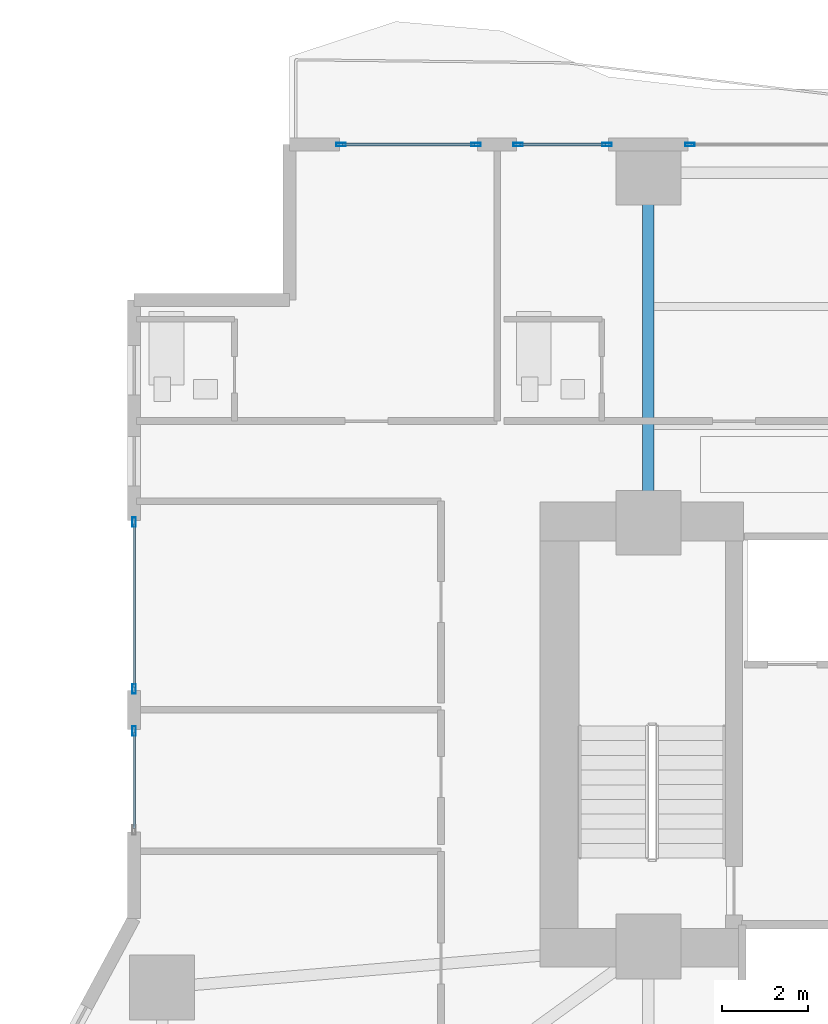
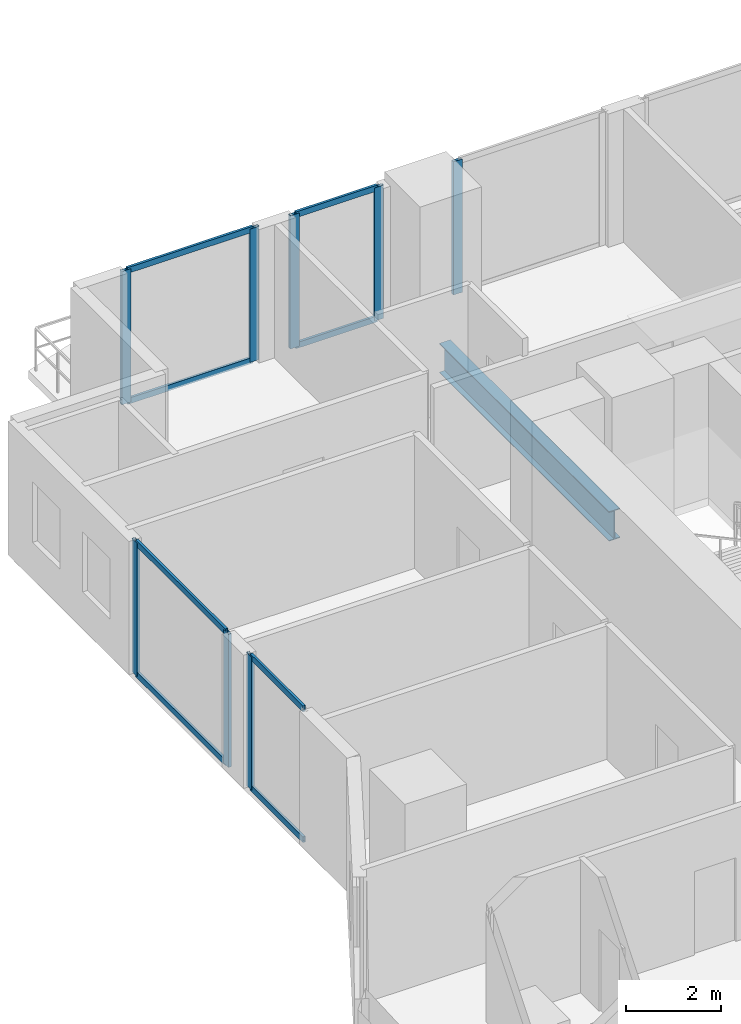
# One storey, part 13 of 29: 16 members, 1 beam, 5 elements without a shape of their own.
"""IFC4 building model written with IfcOpenShell, lengths in metres."""

from ifc_helpers import new_model, si_unit, direction, frame, origin, origin_2d, place, context, subcontext, project, spatial, hollow_rectangle, i_section, extrude, material, layer, layer_set, material_profile, profile_set, type_object, element, aggregate, save


model = new_model("IFC4")

# Units and contexts
model_context = context("Model", 3, precision=1e-05, world=origin(), true_north=direction((0.0, 1.0)))
body_context = subcontext(model_context, "Body", "Model", "MODEL_VIEW")
ifc_project = project(units=[si_unit("LENGTHUNIT", "METRE"), si_unit("AREAUNIT", "SQUARE_METRE"), si_unit("VOLUMEUNIT", "CUBIC_METRE"), si_unit("PLANEANGLEUNIT", "RADIAN"), si_unit("MASSUNIT", "GRAM", prefix="KILO")], contexts=[model_context])

# Site, building, storey
site_placement = place(None, origin())
site = spatial("IfcSite", under=ifc_project, at=site_placement, CompositionType="ELEMENT")
building_placement = place(site_placement, origin())
building = spatial("IfcBuilding", under=site, at=building_placement, Name="Zuhayl Quay Hotel", CompositionType="ELEMENT")
storey_placement = place(building_placement, frame((0.0, 0.0, 42.199951171875)))
storey = spatial("IfcBuildingStorey", under=building, at=storey_placement, Name="L09", CompositionType="ELEMENT", Elevation=42.199951171875)

# Beam
ifc_material_1 = material(Name="Steel ASTM A992 Grade 50", Category="steel")
ifc_material_profile_1 = material_profile(ifc_material_1, i_section(OverallWidth=0.26708984375, OverallDepth=0.761962890625, WebThickness=0.014404296875, FlangeThickness=0.021484375, at=origin_2d()), Name="W30X116")
ifc_profile_set_1 = profile_set([ifc_material_profile_1], Name="Steel ASTM A992 Grade 50")
beam_type = type_object("IfcBeamType", Name="BM_B1_W30X116", PredefinedType="BEAM", material=ifc_profile_set_1)
beam_placement = place(storey_placement, frame((-13.800048828125, 14.800048828125, -0.600830078125), z_axis=(0.0, 1.0, 0.0), x_axis=(-1.0, 0.0, 0.0)))
element("IfcBeam", 1, at=beam_placement, inside=storey, type_object=beam_type, Name="L09 Floor Beam FG_N_L09_1", PredefinedType="BEAM", context=body_context, shape_type="SweptSolid", body=[
    extrude(i_section(OverallWidth=0.26708984375, OverallDepth=0.761962890625, WebThickness=0.014404296875, FlangeThickness=0.021484375, at=origin_2d()), origin(), (0.0, 0.0, 1.0), 7.14990234375),
])

# Curtain wall, member
ifc_material_2 = material(Name="Anodised Aluminium 6063-T6", Category="aluminium")
ifc_layer = layer(ifc_material_2, 0.18994140625, Name="Anodised Aluminium 6063-T6", Category="aluminium")
ifc_layer_set = layer_set([ifc_layer], Name="Anodised Aluminium 6063-T6")
curtain_wall_type = type_object("IfcCurtainWallType", Name="CW_SYS_Z1", PredefinedType="USERDEFINED", material=ifc_layer_set)
curtain_wall_1_placement = place(storey_placement, origin())
curtain_wall_1 = element("IfcCurtainWall", 2, at=curtain_wall_1_placement, inside=storey, type_object=curtain_wall_type, Name="L09 Curtain Wall ENV_L09_E05_CW1", ObjectType="UNITISED CURTAIN WALL", PredefinedType="USERDEFINED")
ifc_material_3 = material(Name="Black-anodised aluminium 6063-T6", Category="aluminium")
ifc_material_profile_2 = material_profile(ifc_material_3, hollow_rectangle(XDim=0.074951171875, YDim=0.219970703125, WallThickness=0.00390625, at=origin_2d()), Name="ALU220X75")
ifc_profile_set_2 = profile_set([ifc_material_profile_2], Name="Black-anodised aluminium 6063-T6")
member_type_1 = type_object("IfcMemberType", Name="MB_CW_MUL_220", PredefinedType="MULLION", material=ifc_profile_set_2)
member_1_placement = place(storey_placement, frame((-25.699951171875, 9.532470703125, 0.0), z_axis=(0.0, 0.0, 1.0), x_axis=(-1.0, 0.0, 0.0)))
member_1 = element("IfcMember", 3, at=member_1_placement, type_object=member_type_1, Name="CW-Z1 mullion 2", PredefinedType="MULLION", context=body_context, shape_type="SweptSolid", body=[
    extrude(hollow_rectangle(XDim=0.074951171875, YDim=0.219970703125, WallThickness=0.00390625, at=origin_2d()), origin(), (0.0, 0.0, 1.0), 3.429931640625),
])

# Curtain wall, members
curtain_wall_2_placement = place(storey_placement, origin())
curtain_wall_2 = element("IfcCurtainWall", 4, at=curtain_wall_2_placement, inside=storey, type_object=curtain_wall_type, Name="L09 Curtain Wall ENV_L09_E05_CW2", ObjectType="UNITISED CURTAIN WALL", PredefinedType="USERDEFINED")
member_2_placement = place(storey_placement, frame((-25.699951171875, 10.507568359375, 0.0), z_axis=(0.0, 0.0, 1.0), x_axis=(-1.0, 0.0, 0.0)))
member_2 = element("IfcMember", 5, at=member_2_placement, type_object=member_type_1, Name="CW-Z1 mullion 1", PredefinedType="MULLION", context=body_context, shape_type="SweptSolid", body=[
    extrude(hollow_rectangle(XDim=0.074951171875, YDim=0.219970703125, WallThickness=0.00390625, at=origin_2d()), origin(), (0.0, 0.0, 1.0), 3.429931640625),
])
member_3_placement = place(storey_placement, frame((-25.699951171875, 14.362548828125, 0.0), z_axis=(0.0, 0.0, 1.0), x_axis=(-1.0, 0.0, 0.0)))
member_3 = element("IfcMember", 6, at=member_3_placement, type_object=member_type_1, Name="CW-Z1 mullion 2", PredefinedType="MULLION", context=body_context, shape_type="SweptSolid", body=[
    extrude(hollow_rectangle(XDim=0.074951171875, YDim=0.219970703125, WallThickness=0.00390625, at=origin_2d()), origin(), (0.0, 0.0, 1.0), 3.429931640625),
])

curtain_wall_3_placement = place(storey_placement, origin())
curtain_wall_3 = element("IfcCurtainWall", 7, at=curtain_wall_3_placement, inside=storey, type_object=curtain_wall_type, Name="L09 Curtain Wall ENV_L09_N_CW1", ObjectType="UNITISED CURTAIN WALL", PredefinedType="USERDEFINED")
member_4_placement = place(storey_placement, frame((-20.91259765625, 23.10009765625, 0.0), z_axis=(0.0, 0.0, 1.0), x_axis=(0.0, 1.0, 0.0)))
member_4 = element("IfcMember", 8, at=member_4_placement, type_object=member_type_1, Name="CW-Z1 mullion 1", PredefinedType="MULLION", context=body_context, shape_type="SweptSolid", body=[
    extrude(hollow_rectangle(XDim=0.074951171875, YDim=0.219970703125, WallThickness=0.00390625, at=origin_2d()), origin(), (0.0, 0.0, 1.0), 3.429931640625),
])
member_5_placement = place(storey_placement, frame((-17.78759765625, 23.10009765625, 0.0), z_axis=(0.0, 0.0, 1.0), x_axis=(0.0, 1.0, 0.0)))
member_5 = element("IfcMember", 9, at=member_5_placement, type_object=member_type_1, Name="CW-Z1 mullion 2", PredefinedType="MULLION", context=body_context, shape_type="SweptSolid", body=[
    extrude(hollow_rectangle(XDim=0.074951171875, YDim=0.219970703125, WallThickness=0.00390625, at=origin_2d()), origin(), (0.0, 0.0, 1.0), 3.429931640625),
])

curtain_wall_4_placement = place(storey_placement, origin())
curtain_wall_4 = element("IfcCurtainWall", 10, at=curtain_wall_4_placement, inside=storey, type_object=curtain_wall_type, Name="L09 Curtain Wall ENV_L09_N_CW2", ObjectType="UNITISED CURTAIN WALL", PredefinedType="USERDEFINED")
member_6_placement = place(storey_placement, frame((-16.8125, 23.10009765625, 0.0), z_axis=(0.0, 0.0, 1.0), x_axis=(0.0, 1.0, 0.0)))
member_6 = element("IfcMember", 11, at=member_6_placement, type_object=member_type_1, Name="CW-Z1 mullion 1", PredefinedType="MULLION", context=body_context, shape_type="SweptSolid", body=[
    extrude(hollow_rectangle(XDim=0.074951171875, YDim=0.219970703125, WallThickness=0.00390625, at=origin_2d()), origin(), (0.0, 0.0, 1.0), 3.429931640625),
])
member_7_placement = place(storey_placement, frame((-14.757568359375, 23.10009765625, 0.0), z_axis=(0.0, 0.0, 1.0), x_axis=(0.0, 1.0, 0.0)))
member_7 = element("IfcMember", 12, at=member_7_placement, type_object=member_type_1, Name="CW-Z1 mullion 2", PredefinedType="MULLION", context=body_context, shape_type="SweptSolid", body=[
    extrude(hollow_rectangle(XDim=0.074951171875, YDim=0.219970703125, WallThickness=0.00390625, at=origin_2d()), origin(), (0.0, 0.0, 1.0), 3.429931640625),
])

# Curtain wall, member
curtain_wall_5_placement = place(storey_placement, origin())
curtain_wall_5 = element("IfcCurtainWall", 13, at=curtain_wall_5_placement, inside=storey, type_object=curtain_wall_type, Name="L09 Curtain Wall ENV_L09_N_CW3", ObjectType="UNITISED CURTAIN WALL", PredefinedType="USERDEFINED")
member_8_placement = place(storey_placement, frame((-12.842529296875, 23.10009765625, 0.0), z_axis=(0.0, 0.0, 1.0), x_axis=(0.0, 1.0, 0.0)))
member_8 = element("IfcMember", 14, at=member_8_placement, type_object=member_type_1, Name="CW-Z1 mullion 1", PredefinedType="MULLION", context=body_context, shape_type="SweptSolid", body=[
    extrude(hollow_rectangle(XDim=0.074951171875, YDim=0.219970703125, WallThickness=0.00390625, at=origin_2d()), origin(), (0.0, 0.0, 1.0), 3.429931640625),
])
aggregate(curtain_wall_5, [member_8])

# Member
ifc_material_profile_3 = material_profile(ifc_material_3, hollow_rectangle(XDim=0.06005859375, YDim=0.14990234375, WallThickness=0.00341796875, at=origin_2d()), Name="ALU150X60")
ifc_profile_set_3 = profile_set([ifc_material_profile_3], Name="Black-anodised aluminium 6063-T6")
member_type_2 = type_object("IfcMemberType", Name="MB_CW_TRN_150", PredefinedType="USERDEFINED", material=ifc_profile_set_3)
member_9_placement = place(storey_placement, frame((-25.699951171875, 7.27490234375, 0.030029296875), z_axis=(0.0, 1.0, 0.0), x_axis=(-1.0, 0.0, 0.0)))
member_9 = element("IfcMember", 15, at=member_9_placement, type_object=member_type_2, Name="CW-Z1 transom 1.1", ObjectType="TRANSOM", PredefinedType="USERDEFINED", context=body_context, shape_type="SweptSolid", body=[
    extrude(hollow_rectangle(XDim=0.06005859375, YDim=0.14990234375, WallThickness=0.00341796875, at=origin_2d()), origin(), (0.0, 0.0, 1.0), 2.22021484375),
])

member_10_placement = place(storey_placement, frame((-25.699951171875, 7.27490234375, 3.400146484375), z_axis=(0.0, 1.0, 0.0), x_axis=(-1.0, 0.0, 0.0)))
member_10 = element("IfcMember", 16, at=member_10_placement, type_object=member_type_2, Name="CW-Z1 transom 1.2", ObjectType="TRANSOM", PredefinedType="USERDEFINED", context=body_context, shape_type="SweptSolid", body=[
    extrude(hollow_rectangle(XDim=0.06005859375, YDim=0.14990234375, WallThickness=0.00341796875, at=origin_2d()), origin(), (0.0, 0.0, 1.0), 2.22021484375),
])

aggregate(curtain_wall_1, [member_1, member_9, member_10])

member_11_placement = place(storey_placement, frame((-25.699951171875, 10.544921875, 0.030029296875), z_axis=(0.0, 1.0, 0.0), x_axis=(-1.0, 0.0, 0.0)))
member_11 = element("IfcMember", 17, at=member_11_placement, type_object=member_type_2, Name="CW-Z1 transom 1.1", ObjectType="TRANSOM", PredefinedType="USERDEFINED", context=body_context, shape_type="SweptSolid", body=[
    extrude(hollow_rectangle(XDim=0.06005859375, YDim=0.14990234375, WallThickness=0.00341796875, at=origin_2d()), origin(), (0.0, 0.0, 1.0), 3.780029296875),
])

member_12_placement = place(storey_placement, frame((-25.699951171875, 10.544921875, 3.400146484375), z_axis=(0.0, 1.0, 0.0), x_axis=(-1.0, 0.0, 0.0)))
member_12 = element("IfcMember", 18, at=member_12_placement, type_object=member_type_2, Name="CW-Z1 transom 1.2", ObjectType="TRANSOM", PredefinedType="USERDEFINED", context=body_context, shape_type="SweptSolid", body=[
    extrude(hollow_rectangle(XDim=0.06005859375, YDim=0.14990234375, WallThickness=0.00341796875, at=origin_2d()), origin(), (0.0, 0.0, 1.0), 3.780029296875),
])

aggregate(curtain_wall_2, [member_2, member_3, member_11, member_12])

member_13_placement = place(storey_placement, frame((-20.875, 23.10009765625, 0.030029296875), z_axis=(1.0, 0.0, 0.0), x_axis=(0.0, 1.0, 0.0)))
member_13 = element("IfcMember", 19, at=member_13_placement, type_object=member_type_2, Name="CW-Z1 transom 1.1", ObjectType="TRANSOM", PredefinedType="USERDEFINED", context=body_context, shape_type="SweptSolid", body=[
    extrude(hollow_rectangle(XDim=0.06005859375, YDim=0.14990234375, WallThickness=0.00341796875, at=origin_2d()), origin(), (0.0, 0.0, 1.0), 3.050048828125),
])

member_14_placement = place(storey_placement, frame((-20.875, 23.10009765625, 3.400146484375), z_axis=(1.0, 0.0, 0.0), x_axis=(0.0, 1.0, 0.0)))
member_14 = element("IfcMember", 20, at=member_14_placement, type_object=member_type_2, Name="CW-Z1 transom 1.2", ObjectType="TRANSOM", PredefinedType="USERDEFINED", context=body_context, shape_type="SweptSolid", body=[
    extrude(hollow_rectangle(XDim=0.06005859375, YDim=0.14990234375, WallThickness=0.00341796875, at=origin_2d()), origin(), (0.0, 0.0, 1.0), 3.050048828125),
])

aggregate(curtain_wall_3, [member_4, member_5, member_13, member_14])

member_15_placement = place(storey_placement, frame((-16.77490234375, 23.10009765625, 0.030029296875), z_axis=(1.0, 0.0, 0.0), x_axis=(0.0, 1.0, 0.0)))
member_15 = element("IfcMember", 21, at=member_15_placement, type_object=member_type_2, Name="CW-Z1 transom 1.1", ObjectType="TRANSOM", PredefinedType="USERDEFINED", context=body_context, shape_type="SweptSolid", body=[
    extrude(hollow_rectangle(XDim=0.06005859375, YDim=0.14990234375, WallThickness=0.00341796875, at=origin_2d()), origin(), (0.0, 0.0, 1.0), 1.97998046875),
])

member_16_placement = place(storey_placement, frame((-16.77490234375, 23.10009765625, 3.400146484375), z_axis=(1.0, 0.0, 0.0), x_axis=(0.0, 1.0, 0.0)))
member_16 = element("IfcMember", 22, at=member_16_placement, type_object=member_type_2, Name="CW-Z1 transom 1.2", ObjectType="TRANSOM", PredefinedType="USERDEFINED", context=body_context, shape_type="SweptSolid", body=[
    extrude(hollow_rectangle(XDim=0.06005859375, YDim=0.14990234375, WallThickness=0.00341796875, at=origin_2d()), origin(), (0.0, 0.0, 1.0), 1.97998046875),
])

aggregate(curtain_wall_4, [member_6, member_7, member_15, member_16])

save(model, "model.ifc")
